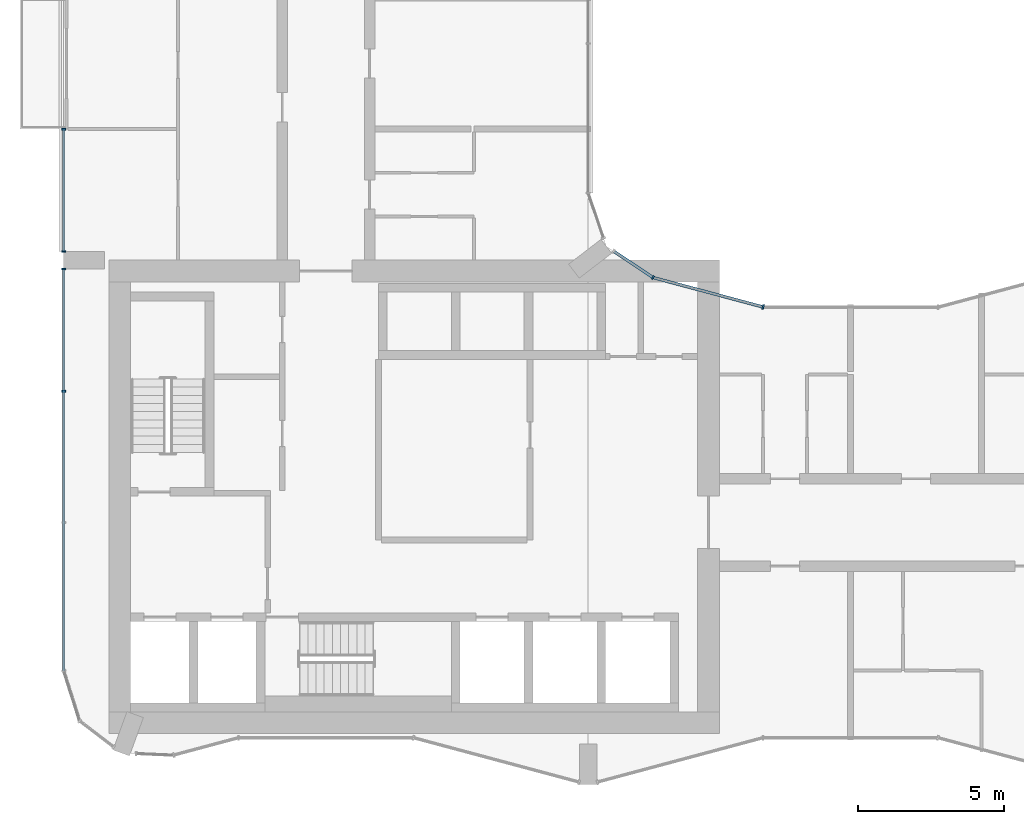
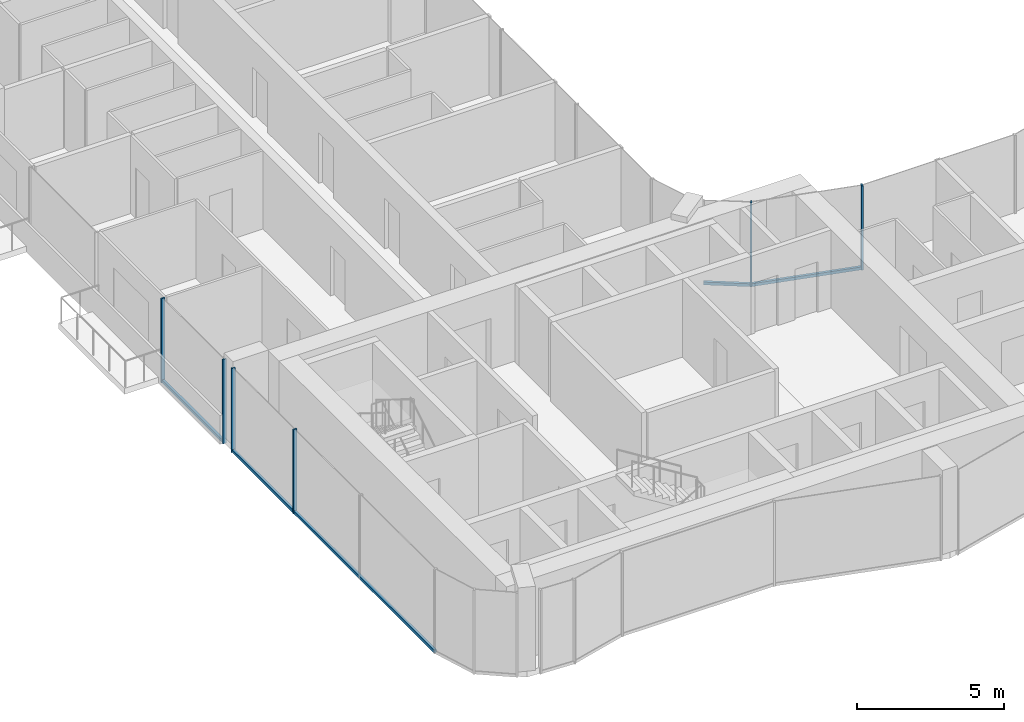
# One storey, part 3 of 24: 10 members, 4 elements without a shape of their own.
"""IFC4 building model written with IfcOpenShell, lengths in metres."""

import ifcopenshell
import ifcopenshell.guid

model = None  # the IFC model being written
_history = None  # IfcOwnerHistory: only IFC2X3 demands one
_inside = {}  # id of a spatial element -> (the spatial element, [elements in it])
_under = {}  # id of a project, library or spatial element -> (it, [spatial elements below it])
_declared = {}  # id of a project -> (the project, [libraries it declares])
_typed = {}  # id of a type object -> (the type object, [elements of that type])
_made_of = {}  # id of a material, layer set ... -> (it, [elements and type objects made of it])


def new_model(schema):
    """Start an empty IFC model of exactly this schema.

    Asked for "IFC4X3", IfcOpenShell would pick the latest addendum, in which some entities
    have other attributes; the version numbers below select the first issue.
    IFC2X3 requires an IfcOwnerHistory on every rooted entity: one is made here for all.
    """
    global model, _history
    if schema == "IFC4X3":
        model = ifcopenshell.file(schema_version=(4, 3, 0, 0))
    else:
        model = ifcopenshell.file(schema=schema)
    _inside.clear()
    _under.clear()
    _declared.clear()
    _typed.clear()
    _made_of.clear()
    _history = None
    if model.schema == "IFC2X3":
        org = make("IfcOrganization", Name="unknown")
        user = make(
            "IfcPersonAndOrganization",
            ThePerson=make("IfcPerson", FamilyName="unknown"),
            TheOrganization=org,
        )
        app = make(
            "IfcApplication",
            ApplicationDeveloper=org,
            Version="unknown",
            ApplicationFullName="unknown",
            ApplicationIdentifier="unknown",
        )
        _history = make(
            "IfcOwnerHistory",
            OwningUser=user,
            OwningApplication=app,
            ChangeAction="ADDED",
            CreationDate=0,
        )
    return model


def make(cls, **values):
    """One entity of the class cls with the attributes given. An attribute that is None is left unset."""
    return model.create_entity(
        cls, **{name: value for name, value in values.items() if value is not None}
    )


def rooted(cls, **values):
    """An entity with a GlobalId (a new one), such as an element, a storey or a relation."""
    return make(cls, GlobalId=ifcopenshell.guid.new(), OwnerHistory=_history, **values)


def si_unit(unit_type, name, prefix=None):
    """IfcSIUnit, for example si_unit("LENGTHUNIT", "METRE", prefix="MILLI")."""
    return make("IfcSIUnit", UnitType=unit_type, Prefix=prefix, Name=name)


def assignment(units):
    """IfcUnitAssignment: the units of a project."""
    return None if units is None else make("IfcUnitAssignment", Units=units)


def point(xyz):
    """IfcCartesianPoint."""
    return None if xyz is None else make("IfcCartesianPoint", Coordinates=xyz)


def direction(xyz):
    """IfcDirection."""
    return None if xyz is None else make("IfcDirection", DirectionRatios=xyz)


def frame(location, z_axis=None, x_axis=None):
    """IfcAxis2Placement3D, a coordinate frame: its origin and axes. An axis left out is left unset."""
    return make(
        "IfcAxis2Placement3D",
        Location=point(location),
        Axis=direction(z_axis),
        RefDirection=direction(x_axis),
    )


def frame_2d(location, x_axis=None):
    """IfcAxis2Placement2D, a coordinate frame in the plane: its origin and x axis."""
    return make(
        "IfcAxis2Placement2D", Location=point(location), RefDirection=direction(x_axis)
    )


def origin():
    """The frame at (0, 0, 0) with its axes left unset."""
    return frame((0.0, 0.0, 0.0))


def origin_2d():
    """The frame at (0, 0) in the plane with its x axis left unset."""
    return frame_2d((0.0, 0.0))


def place(relative_to, where):
    """IfcLocalPlacement: puts the frame where relative to a parent placement (None: the world)."""
    return make(
        "IfcLocalPlacement", PlacementRelTo=relative_to, RelativePlacement=where
    )


def context(
    kind, dimensions, precision=None, world=None, true_north=None, identifier=None
):
    """IfcGeometricRepresentationContext, for example the 3D "Model" context."""
    return make(
        "IfcGeometricRepresentationContext",
        ContextIdentifier=identifier,
        ContextType=kind,
        CoordinateSpaceDimension=dimensions,
        Precision=precision,
        WorldCoordinateSystem=world,
        TrueNorth=true_north,
    )


def subcontext(parent, identifier, kind, view, scale=None):
    """IfcGeometricRepresentationSubContext, for example "Body" below "Model"."""
    return make(
        "IfcGeometricRepresentationSubContext",
        ContextIdentifier=identifier,
        ContextType=kind,
        ParentContext=parent,
        TargetScale=scale,
        TargetView=view,
    )


def project(units=None, contexts=None):
    """IfcProject with its units and contexts."""
    return rooted(
        "IfcProject",
        Name="project",
        RepresentationContexts=contexts,
        UnitsInContext=assignment(units),
    )


def spatial(cls, under=None, at=None, **own):
    """A site, building, storey or space (cls), placed at a placement, below another one or the project."""
    s = rooted(cls, ObjectPlacement=at, **own)
    if under is not None:
        _under.setdefault(under.id(), (under, []))[1].append(s)
    return s


def profile(cls, at=None, kind="AREA", **sizes):
    """A parametric profile (cls). Its sizes go by their IFC names, for example OverallWidth=200.0."""
    return make(cls, ProfileType=kind, Position=at, **sizes)


def rectangle(**sizes):
    """IfcRectangleProfileDef."""
    return profile("IfcRectangleProfileDef", **sizes)


def extrude(swept, where, along, depth):
    """IfcExtrudedAreaSolid: the profile swept, set in the frame where, extruded along a direction by depth."""
    return make(
        "IfcExtrudedAreaSolid",
        SweptArea=swept,
        Position=where,
        ExtrudedDirection=direction(along),
        Depth=depth,
    )


def shape(context_of_items, identifier, shape_type, items):
    """IfcShapeRepresentation: the items that make up one representation, for example the "Body"."""
    return make(
        "IfcShapeRepresentation",
        ContextOfItems=context_of_items,
        RepresentationIdentifier=identifier,
        RepresentationType=shape_type,
        Items=items,
    )


def material(Name=None, Category=None):
    """IfcMaterial."""
    return make("IfcMaterial", Name=Name, Category=Category)


def layer(
    of_material, thickness, ventilated=None, Name=None, Category=None, Priority=None
):
    """IfcMaterialLayer: one layer of a wall or slab, of a material (None: an air gap)."""
    return make(
        "IfcMaterialLayer",
        Material=of_material,
        LayerThickness=thickness,
        IsVentilated=ventilated,
        Name=Name,
        Category=Category,
        Priority=Priority,
    )


def layer_set(layers, Name=None):
    """IfcMaterialLayerSet."""
    return make("IfcMaterialLayerSet", MaterialLayers=layers, LayerSetName=Name)


def material_profile(
    of_material, cross_section, Name=None, Category=None, Priority=None
):
    """IfcMaterialProfile: a cross section and its material."""
    return make(
        "IfcMaterialProfile",
        Name=Name,
        Material=of_material,
        Profile=cross_section,
        Priority=Priority,
        Category=Category,
    )


def profile_set(profiles, Name=None, composite=None):
    """IfcMaterialProfileSet."""
    return make(
        "IfcMaterialProfileSet",
        Name=Name,
        MaterialProfiles=profiles,
        CompositeProfile=composite,
    )


def made_of(thing, what):
    """Note that an element or type object is made of a material, layer set ...; save() writes the relation."""
    if what is not None:
        _made_of.setdefault(what.id(), (what, []))[1].append(thing)
    return thing


def type_object(cls, material=None, **own):
    """A type object (cls), such as IfcWallType, which elements share."""
    return made_of(rooted(cls, **own), material)


def element(
    cls,
    number,
    at=None,
    inside=None,
    cuts=None,
    type_object=None,
    material=None,
    context=None,
    identifier="Body",
    shape_type=None,
    held_by="IfcProductDefinitionShape",
    body=None,
    shapes=None,
    **own,
):
    """One element of the class cls, such as IfcWall. Its Tag is "e" and its number.

    at: its placement. inside: the storey or other place that contains it. cuts: it is an
    opening in that element (IfcRelVoidsElement). A single representation is given by context,
    identifier, shape_type and body (its items); several are given by shapes. held_by: the class
    of the entity that holds the representations. save() writes the other relations.
    """
    e = rooted(cls, Tag="e%d" % number, ObjectPlacement=at, **own)
    if body is not None:
        shapes = [shape(context, identifier, shape_type, body)]
    if shapes is not None:
        e.Representation = make(held_by, Representations=shapes)
    if inside is not None:
        _inside.setdefault(inside.id(), (inside, []))[1].append(e)
    if cuts is not None:
        rooted(
            "IfcRelVoidsElement", RelatingBuildingElement=cuts, RelatedOpeningElement=e
        )
    if type_object is not None:
        _typed.setdefault(type_object.id(), (type_object, []))[1].append(e)
    return made_of(e, material)


def aggregate(whole, parts):
    """IfcRelAggregates: a whole, such as a stair, and the parts it consists of."""
    return rooted("IfcRelAggregates", RelatingObject=whole, RelatedObjects=parts)


def save(model, path):
    """Write the relations noted so far, then the file.

    IfcRelAggregates (storeys below a building ...), IfcRelContainedInSpatialStructure (elements
    in a storey), IfcRelDefinesByType, IfcRelAssociatesMaterial and IfcRelDeclares: one each for
    every whole, place, type object, material and project.
    """
    for whole, parts in _under.values():
        aggregate(whole, parts)
    for where, things in _inside.values():
        rooted(
            "IfcRelContainedInSpatialStructure",
            RelatedElements=things,
            RelatingStructure=where,
        )
    for kind, things in _typed.values():
        rooted("IfcRelDefinesByType", RelatedObjects=things, RelatingType=kind)
    for what, things in _made_of.values():
        rooted("IfcRelAssociatesMaterial", RelatedObjects=things, RelatingMaterial=what)
    for by, libraries in _declared.values():
        rooted("IfcRelDeclares", RelatingContext=by, RelatedDefinitions=libraries)
    model.write(path)


model = new_model("IFC4")

# Units and contexts
model_context = context("Model", 3, precision=1e-05, world=origin(), true_north=direction((0.0, 1.0)))
body_context = subcontext(model_context, "Body", "Model", "MODEL_VIEW")
ifc_project = project(units=[si_unit("LENGTHUNIT", "METRE"), si_unit("AREAUNIT", "SQUARE_METRE"), si_unit("VOLUMEUNIT", "CUBIC_METRE"), si_unit("PLANEANGLEUNIT", "RADIAN"), si_unit("MASSUNIT", "GRAM", prefix="KILO")], contexts=[model_context])

# Site, building, storey
site_placement = place(None, origin())
site = spatial("IfcSite", under=ifc_project, at=site_placement, CompositionType="ELEMENT")
building_placement = place(site_placement, origin())
building = spatial("IfcBuilding", under=site, at=building_placement, Name="Plateau Cross Towers", CompositionType="ELEMENT")
storey_placement = place(building_placement, frame((0.0, 0.0, 47.800048828125)))
storey = spatial("IfcBuildingStorey", under=building, at=storey_placement, Name="L11", CompositionType="ELEMENT", Elevation=47.800048828125)

# Curtain wall, member
ifc_material_1 = material(Name="Dark low-iron glass", Category="glass")
ifc_layer_1 = layer(ifc_material_1, 0.239990234375)
ifc_layer_set_1 = layer_set([ifc_layer_1], Name="Dark low-iron glass")
curtain_wall_type_1 = type_object("IfcCurtainWallType", Name="Curtain wall flush unitised CW-B", PredefinedType="NOTDEFINED", material=ifc_layer_set_1)
curtain_wall_1_placement = place(storey_placement, origin())
curtain_wall_1 = element("IfcCurtainWall", 1, at=curtain_wall_1_placement, inside=storey, type_object=curtain_wall_type_1, Name="ENV/A/L11/A202_174", PredefinedType="NOTDEFINED")
ifc_material_2 = material(Name="Black anodised aluminium", Category="aluminium")
ifc_material_profile_1 = material_profile(ifc_material_2, rectangle(XDim=0.06005859375, YDim=0.139892578125, at=origin_2d()), Name="MULLION 60x140")
ifc_profile_set_1 = profile_set([ifc_material_profile_1], Name="Black anodised aluminium")
member_type_1 = type_object("IfcMemberType", Name="Mullion 60x140 flush unitised", PredefinedType="MULLION", material=ifc_profile_set_1)
member_1_placement = place(storey_placement, frame((20.223876953125, 17.404296875, -0.25), z_axis=(0.0, 0.0, 1.0), x_axis=(-0.831521253329, 0.555492938984, 0.0)))
member_1 = element("IfcMember", 2, at=member_1_placement, type_object=member_type_1, Name="CW-B mullion 1", PredefinedType="MULLION", context=body_context, shape_type="SweptSolid", body=[
    extrude(rectangle(XDim=0.06005859375, YDim=0.139892578125, at=origin_2d()), origin(), (0.0, 0.0, 1.0), 3.5),
])

# Curtain wall, members
curtain_wall_2_placement = place(storey_placement, origin())
curtain_wall_2 = element("IfcCurtainWall", 3, at=curtain_wall_2_placement, inside=storey, type_object=curtain_wall_type_1, Name="ENV/A/L11/A0_225", PredefinedType="NOTDEFINED")
member_2_placement = place(storey_placement, frame((0.0, 22.489990234375, -0.25), z_axis=(0.0, 0.0, 1.0), x_axis=(0.0, -1.0, 0.0)))
member_2 = element("IfcMember", 4, at=member_2_placement, type_object=member_type_1, Name="CW-B mullion 1", PredefinedType="MULLION", context=body_context, shape_type="SweptSolid", body=[
    extrude(rectangle(XDim=0.06005859375, YDim=0.139892578125, at=origin_2d()), origin(), (0.0, 0.0, 1.0), 3.5),
])
member_3_placement = place(storey_placement, frame((0.0, 18.300048828125, -0.25), z_axis=(0.0, 0.0, 1.0), x_axis=(0.0, -1.0, 0.0)))
member_3 = element("IfcMember", 5, at=member_3_placement, type_object=member_type_1, Name="CW-B mullion 2", PredefinedType="MULLION", context=body_context, shape_type="SweptSolid", body=[
    extrude(rectangle(XDim=0.06005859375, YDim=0.139892578125, at=origin_2d()), origin(), (0.0, 0.0, 1.0), 3.5),
])

curtain_wall_3_placement = place(storey_placement, origin())
curtain_wall_3 = element("IfcCurtainWall", 6, at=curtain_wall_3_placement, inside=storey, type_object=curtain_wall_type_1, Name="ENV/A/L11/A0_177", PredefinedType="NOTDEFINED")
member_4_placement = place(storey_placement, frame((0.0, 17.699951171875, -0.25), z_axis=(0.0, 0.0, 1.0), x_axis=(0.0, -1.0, 0.0)))
member_4 = element("IfcMember", 7, at=member_4_placement, type_object=member_type_1, Name="CW-B mullion 1", PredefinedType="MULLION", context=body_context, shape_type="SweptSolid", body=[
    extrude(rectangle(XDim=0.06005859375, YDim=0.139892578125, at=origin_2d()), origin(), (0.0, 0.0, 1.0), 3.5),
])
member_5_placement = place(storey_placement, frame((0.0, 13.5, -0.25), z_axis=(0.0, 0.0, 1.0), x_axis=(0.0, -1.0, 0.0)))
member_5 = element("IfcMember", 8, at=member_5_placement, type_object=member_type_1, Name="CW-B mullion 2", PredefinedType="MULLION", context=body_context, shape_type="SweptSolid", body=[
    extrude(rectangle(XDim=0.06005859375, YDim=0.139892578125, at=origin_2d()), origin(), (0.0, 0.0, 1.0), 3.5),
])

# Curtain wall, member
ifc_layer_2 = layer(ifc_material_1, 0.260009765625)
ifc_layer_set_2 = layer_set([ifc_layer_2], Name="Dark low-iron glass")
curtain_wall_type_2 = type_object("IfcCurtainWallType", Name="Curtain wall fluted unitised CW-A", PredefinedType="NOTDEFINED", material=ifc_layer_set_2)
curtain_wall_4_placement = place(storey_placement, origin())
curtain_wall_4 = element("IfcCurtainWall", 9, at=curtain_wall_4_placement, inside=storey, type_object=curtain_wall_type_2, Name="ENV/A/L11/A240_164", PredefinedType="NOTDEFINED")
ifc_material_profile_2 = material_profile(ifc_material_2, rectangle(XDim=0.06005859375, YDim=0.159912109375, at=origin_2d()), Name="MULLION 60x160")
ifc_profile_set_2 = profile_set([ifc_material_profile_2], Name="Black anodised aluminium")
member_type_2 = type_object("IfcMemberType", Name="Mullion 60x160 fluted unitised", PredefinedType="MULLION", material=ifc_profile_set_2)
member_6_placement = place(storey_placement, frame((24.0, 16.39306640625, -0.25), z_axis=(0.0, 0.0, 1.0), x_axis=(-0.965957995816, 0.258698956933, 0.0)))
member_6 = element("IfcMember", 10, at=member_6_placement, type_object=member_type_2, Name="CW-A mullion 1", PredefinedType="MULLION", context=body_context, shape_type="SweptSolid", body=[
    extrude(rectangle(XDim=0.06005859375, YDim=0.159912109375, at=origin_2d()), origin(), (0.0, 0.0, 1.0), 3.5),
])

# Member
ifc_material_profile_3 = material_profile(ifc_material_2, rectangle(XDim=0.10009765625, YDim=0.1201171875, at=origin_2d()), Name="TRANSOM 100x120")
ifc_profile_set_3 = profile_set([ifc_material_profile_3], Name="Black anodised aluminium")
member_type_3 = type_object("IfcMemberType", Name="Transom 100x120 flush unitised", PredefinedType="USERDEFINED", material=ifc_profile_set_3)
member_7_placement = place(storey_placement, frame((20.223876953125, 17.404296875, -0.18994140625), z_axis=(-0.831496402487, 0.555530136582, 0.0), x_axis=(-0.555530136582, -0.831496402487, 0.0)))
member_7 = element("IfcMember", 11, at=member_7_placement, type_object=member_type_3, Name="CW-B transom", ObjectType="TRANSOM", PredefinedType="USERDEFINED", context=body_context, shape_type="SweptSolid", body=[
    extrude(rectangle(XDim=0.10009765625, YDim=0.1201171875, at=origin_2d()), origin(), (0.0, 0.0, 1.0), 1.628662109375),
])

aggregate(curtain_wall_1, [member_1, member_7])

member_8_placement = place(storey_placement, frame((0.0, 22.489990234375, -0.18994140625), z_axis=(0.0, -1.0, 0.0), x_axis=(1.0, 0.0, 0.0)))
member_8 = element("IfcMember", 12, at=member_8_placement, type_object=member_type_3, Name="CW-B transom", ObjectType="TRANSOM", PredefinedType="USERDEFINED", context=body_context, shape_type="SweptSolid", body=[
    extrude(rectangle(XDim=0.10009765625, YDim=0.1201171875, at=origin_2d()), origin(), (0.0, 0.0, 1.0), 4.18994140625),
])

aggregate(curtain_wall_2, [member_2, member_3, member_8])

member_9_placement = place(storey_placement, frame((0.0, 17.699951171875, -0.18994140625), z_axis=(0.0, -1.0, 0.0), x_axis=(1.0, 0.0, 0.0)))
member_9 = element("IfcMember", 13, at=member_9_placement, type_object=member_type_3, Name="CW-B transom", ObjectType="TRANSOM", PredefinedType="USERDEFINED", context=body_context, shape_type="SweptSolid", body=[
    extrude(rectangle(XDim=0.10009765625, YDim=0.1201171875, at=origin_2d()), origin(), (0.0, 0.0, 1.0), 13.790771484375),
])

aggregate(curtain_wall_3, [member_4, member_5, member_9])

ifc_material_profile_4 = material_profile(ifc_material_2, rectangle(XDim=0.10009765625, YDim=0.1201171875, at=origin_2d()), Name="TRANSOM 100x120")
ifc_profile_set_4 = profile_set([ifc_material_profile_4], Name="Black anodised aluminium")
member_type_4 = type_object("IfcMemberType", Name="Transom 100x120 fluted unitised", PredefinedType="USERDEFINED", material=ifc_profile_set_4)
member_10_placement = place(storey_placement, frame((24.0, 16.39306640625, -0.18994140625), z_axis=(-0.965962822393, 0.25868093427, 0.0), x_axis=(-0.25868093427, -0.965962822393, 0.0)))
member_10 = element("IfcMember", 14, at=member_10_placement, type_object=member_type_4, Name="CW-A transom", ObjectType="TRANSOM", PredefinedType="USERDEFINED", context=body_context, shape_type="SweptSolid", body=[
    extrude(rectangle(XDim=0.10009765625, YDim=0.1201171875, at=origin_2d()), origin(), (0.0, 0.0, 1.0), 3.9091796875),
])

aggregate(curtain_wall_4, [member_6, member_10])

save(model, "model.ifc")
